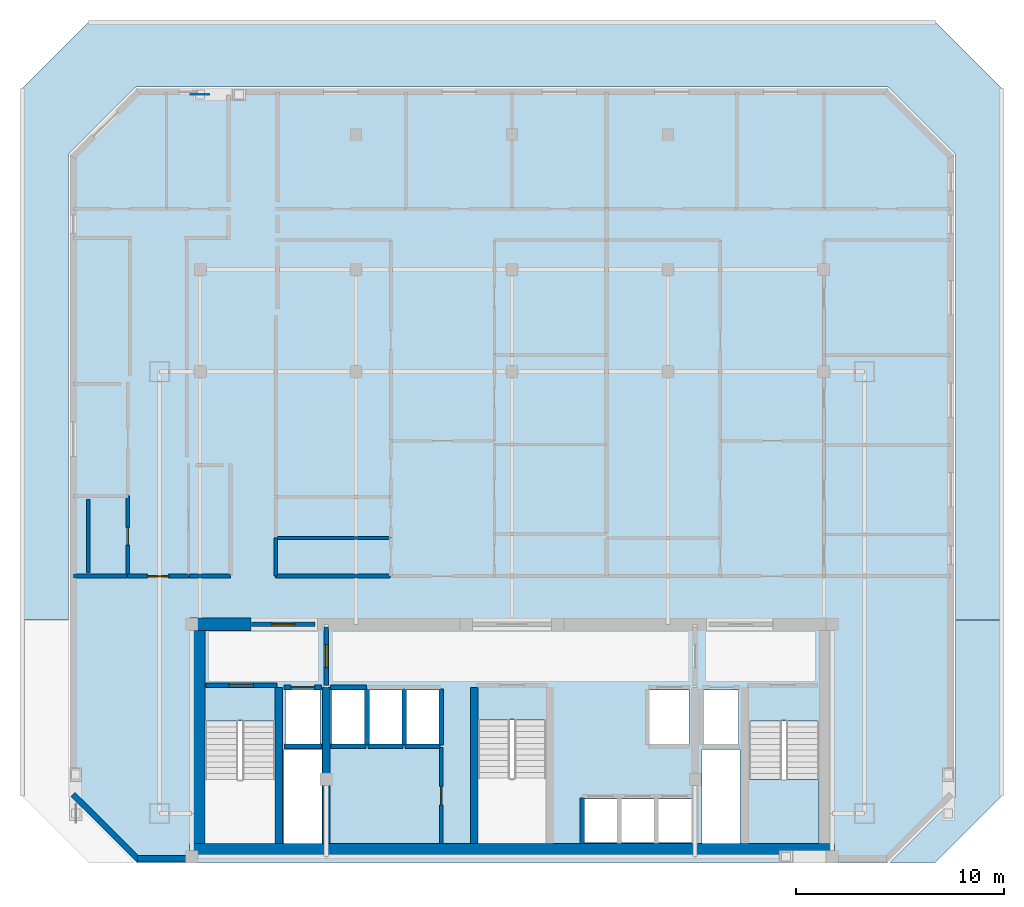
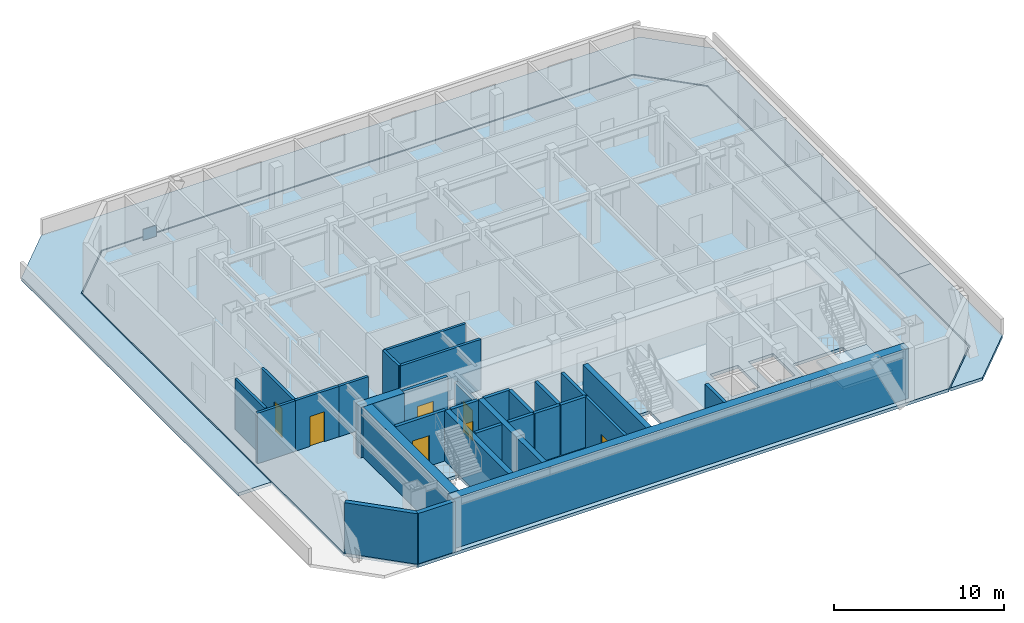
# One storey, part 2 of 7: 30 walls, 7 doors, 4 slabs, 1 plate, 7 openings, 1 element without a shape of its own.
"""IFC4 building model written with IfcOpenShell, lengths in metres."""

from ifc_helpers import new_model, si_unit, direction, frame, frame_2d, origin, origin_2d, place, context, subcontext, project, spatial, polyline, rectangle, outline, extrude, material, layer, layer_set, type_object, element, fill, aggregate, save


model = new_model("IFC4")

# Units and contexts
model_context = context("Model", 3, precision=1e-05, world=origin(), true_north=direction((0.0, 1.0)))
body_context = subcontext(model_context, "Body", "Model", "MODEL_VIEW")
ifc_project = project(units=[si_unit("LENGTHUNIT", "METRE"), si_unit("AREAUNIT", "SQUARE_METRE"), si_unit("VOLUMEUNIT", "CUBIC_METRE"), si_unit("PLANEANGLEUNIT", "RADIAN"), si_unit("MASSUNIT", "GRAM", prefix="KILO")], contexts=[model_context])

# Site, building, storey
site_placement = place(None, origin())
site = spatial("IfcSite", under=ifc_project, at=site_placement, CompositionType="ELEMENT")
building_placement = place(site_placement, origin())
building = spatial("IfcBuilding", under=site, at=building_placement, Name="Ventersveld Concourse Tower", CompositionType="ELEMENT")
storey_placement = place(building_placement, frame((0.0, 0.0, 219.550048828125)))
storey = spatial("IfcBuildingStorey", under=building, at=storey_placement, Name="L54", CompositionType="ELEMENT", Elevation=219.550048828125)

# Plate
ifc_material_1 = material(Name="Structural steel S355J2", Category="steel")
ifc_layer_1 = layer(ifc_material_1, 0.030029296875)
ifc_layer_set_1 = layer_set([ifc_layer_1], Name="Structural steel S355J2")
plate_type = type_object("IfcPlateType", Name="PL-CAP-30", PredefinedType="USERDEFINED", material=ifc_layer_set_1)
plate_placement = place(storey_placement, frame((13.75, 36.919921875, -0.10009765625), z_axis=(0.0, 0.0, 1.0), x_axis=(1.0, 0.0, 0.0)))
element("IfcPlate", 1, at=plate_placement, inside=storey, type_object=plate_type, Name="L54 Mega-Brace Gusset Node Plate M13-N", ObjectType="GUSSET_PLATE", PredefinedType="USERDEFINED", context=body_context, shape_type="SweptSolid", body=[
    extrude(rectangle(XDim=0.89990234375, YDim=0.030029296875, at=origin_2d()), origin(), (0.0, 0.0, 1.0), 0.89990234375),
])

# Slab
ifc_material_2 = material(Name="Concrete C50/60", Category="concrete")
ifc_layer_2 = layer(ifc_material_2, 0.219970703125)
ifc_layer_set_2 = layer_set([ifc_layer_2], Name="Concrete C50/60")
slab_type_1 = type_object("IfcSlabType", Name="SL-FLR-220", PredefinedType="FLOOR", material=ifc_layer_set_2)
slab_1_placement = place(storey_placement, frame((0.0, 0.0, -0.219970703125)))
element("IfcSlab", 2, at=slab_1_placement, inside=storey, type_object=slab_type_1, Name="L54 Composite Floor Slab", PredefinedType="FLOOR", context=body_context, shape_type="SweptSolid", body=[
    extrude(outline(polyline([(10.699951171875, 0.0), (46.800048828125, 0.0), (50.0, 3.199951171875), (50.0, 34.0), (46.800048828125, 37.199951171875), (10.699951171875, 37.199951171875), (7.5, 34.0), (7.5, 3.199951171875), (10.699951171875, 0.0)]), holes=[polyline([(13.97998046875, 6.794921875), (13.97998046875, 0.89990234375), (17.3798828125, 0.89990234375), (17.3798828125, 6.794921875), (13.97998046875, 6.794921875)]), polyline([(40.1201171875, 6.794921875), (40.1201171875, 0.89990234375), (43.52001953125, 0.89990234375), (43.52001953125, 6.794921875), (40.1201171875, 6.794921875)]), polyline([(27.10009765625, 6.844970703125), (27.10009765625, 0.89990234375), (30.39990234375, 0.89990234375), (30.39990234375, 6.844970703125), (27.10009765625, 6.844970703125)]), polyline([(17.85009765625, 5.699951171875), (19.530029296875, 5.699951171875), (19.530029296875, 8.300048828125), (17.85009765625, 8.300048828125), (17.85009765625, 5.699951171875)]), polyline([(37.969970703125, 5.699951171875), (39.64990234375, 5.699951171875), (39.64990234375, 8.300048828125), (37.969970703125, 8.300048828125), (37.969970703125, 5.699951171875)]), polyline([(35.35009765625, 5.699951171875), (37.25, 5.699951171875), (37.25, 8.300048828125), (35.35009765625, 8.300048828125), (35.35009765625, 5.699951171875)]), polyline([(32.2099609375, 0.949951171875), (33.81005859375, 0.949951171875), (33.81005859375, 3.050048828125), (32.2099609375, 3.050048828125), (32.2099609375, 0.949951171875)]), polyline([(33.989990234375, 0.949951171875), (35.590087890625, 0.949951171875), (35.590087890625, 3.050048828125), (33.989990234375, 3.050048828125), (33.989990234375, 0.949951171875)]), polyline([(35.77001953125, 0.949951171875), (37.3701171875, 0.949951171875), (37.3701171875, 3.050048828125), (35.77001953125, 3.050048828125), (35.77001953125, 0.949951171875)]), polyline([(20.090087890625, 5.699951171875), (21.68994140625, 5.699951171875), (21.68994140625, 8.300048828125), (20.090087890625, 8.300048828125), (20.090087890625, 5.699951171875)]), polyline([(21.8701171875, 5.699951171875), (23.469970703125, 5.699951171875), (23.469970703125, 8.300048828125), (21.8701171875, 8.300048828125), (21.8701171875, 5.699951171875)]), polyline([(23.64990234375, 5.699951171875), (25.25, 5.699951171875), (25.25, 8.300048828125), (23.64990234375, 8.300048828125), (23.64990234375, 5.699951171875)]), polyline([(17.780029296875, 0.919921875), (19.6201171875, 0.919921875), (19.6201171875, 5.419921875), (17.780029296875, 5.419921875), (17.780029296875, 0.919921875)]), polyline([(37.8798828125, 0.919921875), (39.719970703125, 0.919921875), (39.719970703125, 5.419921875), (37.8798828125, 5.419921875), (37.8798828125, 0.919921875)])]), origin(), (0.0, 0.0, 1.0), 0.219970703125),
])

# Stair, slab
stair_type = type_object("IfcStairType", Name="ST-DOG-160", PredefinedType="HALF_TURN_STAIR", material=ifc_material_2)
stair_placement = place(storey_placement, origin())
stair = element("IfcStair", 3, at=stair_placement, inside=storey, type_object=stair_type, Name="L54 Protected Tower Escape Stair ST-02", PredefinedType="HALF_TURN_STAIR")
ifc_layer_3 = layer(ifc_material_2, 0.199951171875)
ifc_layer_set_3 = layer_set([ifc_layer_3], Name="Concrete C50/60")
slab_type_2 = type_object("IfcSlabType", Name="SL-LND-200", PredefinedType="LANDING", material=ifc_layer_set_3)
slab_2_placement = place(storey_placement, frame((0.0, 0.0, 1.724853515625)))
slab_2 = element("IfcSlab", 4, at=slab_2_placement, type_object=slab_type_2, Name="ST-02 landing 1", PredefinedType="LANDING", context=body_context, shape_type="SweptSolid", body=[
    extrude(outline(polyline([(40.1201171875, 4.0), (40.1201171875, 0.89990234375), (43.52001953125, 0.89990234375), (43.52001953125, 4.0), (40.1201171875, 4.0)])), origin(), (0.0, 0.0, 1.0), 0.2001953125),
])
aggregate(stair, [slab_2])

# Slabs
ifc_layer_4 = layer(ifc_material_2, 0.219970703125)
ifc_layer_set_4 = layer_set([ifc_layer_4], Name="Concrete C50/60")
slab_type_3 = type_object("IfcSlabType", Name="SL-ROOF-220", PredefinedType="ROOF", material=ifc_layer_set_4)
slab_3_placement = place(storey_placement, frame((0.0, 0.0, -0.219970703125)))
element("IfcSlab", 5, at=slab_3_placement, inside=storey, type_object=slab_type_3, Name="L54 Maintenance Setback Roof Slab N1", PredefinedType="ROOF", context=body_context, shape_type="SweptSolid", body=[
    extrude(outline(polyline([(5.199951171875, 37.199951171875), (8.39990234375, 40.39990234375), (49.10009765625, 40.39990234375), (52.300048828125, 37.199951171875), (52.300048828125, 11.64990234375), (50.080078125, 11.64990234375), (50.080078125, 34.0), (50.07958984375, 34.0078125), (50.07861328125, 34.015625), (50.07666015625, 34.023193359375), (50.073974609375, 34.030517578125), (50.070556640625, 34.03759765625), (50.06640625, 34.04443359375), (50.061767578125, 34.05078125), (50.056640625, 34.056640625), (46.856689453125, 37.256591796875), (46.850830078125, 37.26171875), (46.844482421875, 37.2666015625), (46.837646484375, 37.2705078125), (46.83056640625, 37.27392578125), (46.8232421875, 37.276611328125), (46.815673828125, 37.278564453125), (46.807861328125, 37.279541015625), (46.800048828125, 37.280029296875), (10.699951171875, 37.280029296875), (10.692138671875, 37.279541015625), (10.684326171875, 37.278564453125), (10.6767578125, 37.276611328125), (10.66943359375, 37.27392578125), (10.662353515625, 37.2705078125), (10.655517578125, 37.2666015625), (10.649169921875, 37.26171875), (10.643310546875, 37.256591796875), (7.443359375, 34.056640625), (7.438232421875, 34.05078125), (7.43359375, 34.04443359375), (7.429443359375, 34.03759765625), (7.426025390625, 34.030517578125), (7.42333984375, 34.023193359375), (7.42138671875, 34.015625), (7.42041015625, 34.0078125), (7.419921875, 34.0), (7.419921875, 11.64990234375), (5.199951171875, 11.64990234375), (5.199951171875, 37.199951171875)])), origin(), (0.0, 0.0, 1.0), 0.219970703125),
])
slab_4_placement = place(storey_placement, frame((0.0, 0.0, -0.219970703125)))
element("IfcSlab", 6, at=slab_4_placement, inside=storey, type_object=slab_type_3, Name="L54 Maintenance Setback Roof Slab E3", PredefinedType="ROOF", context=body_context, shape_type="SweptSolid", body=[
    extrude(outline(polyline([(52.300048828125, 3.199951171875), (49.10009765625, 0.0), (46.9130859375, 0.0), (50.056640625, 3.143310546875), (50.061767578125, 3.149169921875), (50.06640625, 3.155517578125), (50.070556640625, 3.162353515625), (50.073974609375, 3.16943359375), (50.07666015625, 3.1767578125), (50.07861328125, 3.184326171875), (50.07958984375, 3.192138671875), (50.080078125, 3.199951171875), (50.080078125, 11.64990234375), (52.300048828125, 11.64990234375), (52.300048828125, 3.199951171875)])), origin(), (0.0, 0.0, 1.0), 0.219970703125),
])

# Walls
ifc_layer_5 = layer(ifc_material_2, 0.35009765625)
ifc_layer_set_5 = layer_set([ifc_layer_5], Name="Concrete C50/60")
wall_type_1 = type_object("IfcWallType", Name="WL-CORE-350U", PredefinedType="SHEAR", material=ifc_layer_set_5)
for number, where, z_axis, x_axis, name in (
    (7, (17.5400390625, 0.919921875, 0.0), (0.0, 0.0, 1.0), (0.0, 1.0, 0.0), "L54 Core Internal Shear Web W-ST1-E"),
    (8, (19.820068359375, 0.919921875, 0.0), (0.0, 0.0, 1.0), (0.0, 1.0, 0.0), "L54 Core Internal Shear Web W-FF1-E"),
    (9, (26.93994140625, 0.919921875, 0.0), (0.0, 0.0, 1.0), (0.0, 1.0, 0.0), "L54 Core Internal Shear Web W-ST3-W"),
):
    element("IfcWall", number, at=place(storey_placement, frame(where, z_axis=z_axis, x_axis=x_axis)), inside=storey, type_object=wall_type_1, Name=name, PredefinedType="SHEAR", context=body_context, shape_type="SweptSolid", body=[
        extrude(rectangle(XDim=7.5, YDim=0.35009765625, at=frame_2d((3.75, 0.0))), origin(), (0.0, 0.0, 1.0), 3.6298828125),
    ])
ifc_layer_6 = layer(ifc_material_2, 0.60009765625)
ifc_layer_set_6 = layer_set([ifc_layer_6], Name="Concrete C50/60")
wall_type_2 = type_object("IfcWallType", Name="WL-CORE-600", PredefinedType="SHEAR", material=ifc_layer_set_6)
wall_1_placement = place(storey_placement, frame((13.25, 0.6201171875, 0.0), z_axis=(0.0, 0.0, 1.0), x_axis=(1.0, 0.0, 0.0)))
element("IfcWall", 10, at=wall_1_placement, inside=storey, type_object=wall_type_2, Name="L54 Rear Core South Shear Wall", PredefinedType="SHEAR", context=body_context, shape_type="SweptSolid", body=[
    extrude(rectangle(XDim=31.0, YDim=0.60009765625, at=frame_2d((15.5, 0.0))), origin(), (0.0, 0.0, 1.0), 3.6298828125),
])
wall_2_placement = place(storey_placement, frame((13.699951171875, 0.919921875, 0.0), z_axis=(0.0, 0.0, 1.0), x_axis=(0.0, 1.0, 0.0)))
element("IfcWall", 11, at=wall_2_placement, inside=storey, type_object=wall_type_2, Name="L54 Rear Core West Shear Wall", PredefinedType="SHEAR", context=body_context, shape_type="SweptSolid", body=[
    extrude(rectangle(XDim=10.530029296875, YDim=0.60009765625, at=frame_2d((5.26513671875, 0.0))), origin(), (0.0, 0.0, 1.0), 3.6298828125),
])
wall_3_placement = place(storey_placement, frame((13.25, 11.449951171875, 0.0), z_axis=(0.0, 0.0, 1.0), x_axis=(1.0, 0.0, 0.0)))
element("IfcWall", 12, at=wall_3_placement, inside=storey, type_object=wall_type_2, Name="L54 Rear Core North Shear Wall NW", PredefinedType="SHEAR", context=body_context, shape_type="SweptSolid", body=[
    extrude(rectangle(XDim=2.949951171875, YDim=0.60009765625, at=frame_2d((1.47509765625, 0.0))), origin(), (0.0, 0.0, 1.0), 3.6298828125),
])

# Wall, opening, door
ifc_material_3 = material(Name="Fire-rated autoclaved aerated masonry blockwork", Category="masonry")
ifc_layer_7 = layer(ifc_material_3, 0.179931640625)
ifc_layer_set_7 = layer_set([ifc_layer_7], Name="Fire-rated autoclaved aerated masonry blockwork")
wall_type_3 = type_object("IfcWallType", Name="WL-CORR-180", PredefinedType="PARTITIONING", material=ifc_layer_set_7)
wall_4_placement = place(storey_placement, frame((25.35009765625, 0.89990234375, 0.0), z_axis=(0.0, 0.0, 1.0), x_axis=(0.0, 1.0, 0.0)))
wall_4 = element("IfcWall", 13, at=wall_4_placement, inside=storey, type_object=wall_type_3, Name="L54 Core Passage Wall SP-L54-RECB1A", PredefinedType="PARTITIONING", context=body_context, shape_type="SweptSolid", body=[
    extrude(rectangle(XDim=4.6201171875, YDim=0.179931640625, at=frame_2d((2.31005859375, 0.0))), origin(), (0.0, 0.0, 1.0), 3.6298828125),
])
opening_1_placement = place(wall_4_placement, frame((1.8701171875, 0.0, 0.0)))
opening_1 = element("IfcOpeningElement", 14, at=opening_1_placement, cuts=wall_4, Name="Opening FD5", PredefinedType="OPENING", context=body_context, shape_type="SweptSolid", body=[
    extrude(rectangle(XDim=0.8798828125, YDim=2.050048828125, at=frame_2d((0.43994140625, 1.02490234375))), frame((0.0, 0.10009765625, 0.0), z_axis=(0.0, -1.0, 0.0), x_axis=(1.0, 0.0, 0.0)), (0.0, 0.0, 1.0), 0.199951171875),
])
ifc_material_4 = material(Name="Galvanised painted steel", Category="steel")
door_type_1 = type_object("IfcDoorType", Name="DR-RISER-088", OperationType="NOTDEFINED", PredefinedType="DOOR", material=ifc_material_4)
door_1_placement = place(opening_1_placement, origin())
door_1 = element("IfcDoor", 15, at=door_1_placement, inside=storey, type_object=door_type_1, Name="L54 Core Room Door L54 Reclaimed Core Meeting Pod (CD-L54-2622)", OperationType="SINGLE_SWING_LEFT", OverallHeight=2.050048828125, OverallWidth=0.8798828125, PredefinedType="DOOR", context=body_context, shape_type="SweptSolid", body=[
    extrude(rectangle(XDim=0.8798828125, YDim=2.050048828125, at=frame_2d((0.43994140625, 1.02490234375))), frame((0.0, 0.02490234375, 0.0), z_axis=(0.0, -1.0, 0.0), x_axis=(1.0, 0.0, 0.0)), (0.0, 0.0, 1.0), 0.050048828125),
])
fill(opening_1, door_1)

wall_5_placement = place(storey_placement, frame((10.270751953125, 13.77001953125, 0.0), z_axis=(0.0, 0.0, 1.0), x_axis=(1.0, 0.0, 0.0)))
wall_5 = element("IfcWall", 16, at=wall_5_placement, inside=storey, type_object=wall_type_3, Name="L54 Interior Partition SP-L54-COR-SP-L54-54NW-LIV", PredefinedType="PARTITIONING", context=body_context, shape_type="SweptSolid", body=[
    extrude(rectangle(XDim=2.930419921875, YDim=0.179931640625, at=frame_2d((1.46533203125, 0.0))), origin(), (0.0, 0.0, 1.0), 3.6298828125),
])
opening_2_placement = place(wall_5_placement, frame((0.965087890625, 0.0, 0.0)))
opening_2 = element("IfcOpeningElement", 17, at=opening_2_placement, cuts=wall_5, Name="Opening FD3", PredefinedType="OPENING", context=body_context, shape_type="SweptSolid", body=[
    extrude(rectangle(XDim=1.0, YDim=2.14990234375, at=frame_2d((0.5, 1.074951171875))), frame((0.0, 0.10009765625, 0.0), z_axis=(0.0, -1.0, 0.0), x_axis=(1.0, 0.0, 0.0)), (0.0, 0.0, 1.0), 0.199951171875),
])
ifc_material_5 = material(Name="Solid-core hardwood veneer timber", Category="wood")
door_type_2 = type_object("IfcDoorType", Name="DR-FLAT-100", OperationType="NOTDEFINED", PredefinedType="DOOR", material=ifc_material_5)
door_2_placement = place(opening_2_placement, origin())
door_2 = element("IfcDoor", 18, at=door_2_placement, inside=storey, type_object=door_type_2, Name="L54 Interior Door SP-L54-COR to SP-L54-54NW-LIV (FD-L54-2623)", OperationType="SINGLE_SWING_LEFT", OverallHeight=2.14990234375, OverallWidth=1.0, PredefinedType="DOOR", context=body_context, shape_type="SweptSolid", body=[
    extrude(rectangle(XDim=1.0, YDim=2.14990234375, at=frame_2d((0.5, 1.074951171875))), frame((0.0, 0.02490234375, 0.0), z_axis=(0.0, -1.0, 0.0), x_axis=(1.0, 0.0, 0.0)), (0.0, 0.0, 1.0), 0.050048828125),
])
fill(opening_2, door_2)

# Walls
wall_6_placement = place(storey_placement, frame((7.672607421875, 13.77001953125, 0.0), z_axis=(0.0, 0.0, 1.0), x_axis=(1.0, 0.0, 0.0)))
element("IfcWall", 19, at=wall_6_placement, inside=storey, type_object=wall_type_3, Name="L54 Interior Partition SP-L54-COR-SP-L54-54NW-BATH", PredefinedType="PARTITIONING", context=body_context, shape_type="SweptSolid", body=[
    extrude(rectangle(XDim=2.568115234375, YDim=0.179931640625, at=frame_2d((1.2841796875, 0.0))), origin(), (0.0, 0.0, 1.0), 3.6298828125),
])
wall_7_placement = place(storey_placement, frame((13.231201171875, 13.77001953125, 0.0), z_axis=(0.0, 0.0, 1.0), x_axis=(1.0, 0.0, 0.0)))
element("IfcWall", 20, at=wall_7_placement, inside=storey, type_object=wall_type_3, Name="L54 Interior Partition SP-L54-COR-SP-L54-54NW-KIT", PredefinedType="PARTITIONING", context=body_context, shape_type="SweptSolid", body=[
    extrude(rectangle(XDim=1.98388671875, YDim=0.179931640625, at=frame_2d((0.991943359375, 0.0))), origin(), (0.0, 0.0, 1.0), 3.6298828125),
])
wall_8_placement = place(storey_placement, frame((17.385009765625, 13.77001953125, 0.0), z_axis=(0.0, 0.0, 1.0), x_axis=(1.0, 0.0, 0.0)))
element("IfcWall", 21, at=wall_8_placement, inside=storey, type_object=wall_type_3, Name="L54 Interior Partition SP-L54-COR-SP-L54-54N1-BATH", PredefinedType="PARTITIONING", context=body_context, shape_type="SweptSolid", body=[
    extrude(rectangle(XDim=5.50048828125, YDim=0.179931640625, at=frame_2d((2.750244140625, 0.0))), origin(), (0.0, 0.0, 1.0), 3.6298828125),
])
wall_9_placement = place(storey_placement, frame((17.389892578125, 13.764892578125, 0.0), z_axis=(0.0, 0.0, 1.0), x_axis=(0.0, 1.0, 0.0)))
element("IfcWall", 22, at=wall_9_placement, inside=storey, type_object=wall_type_3, Name="L54 Interior Partition SP-L54-COR-SP-L54-54N1-BATH", PredefinedType="PARTITIONING", context=body_context, shape_type="SweptSolid", body=[
    extrude(rectangle(XDim=1.840087890625, YDim=0.179931640625, at=frame_2d((0.919921875, 0.0))), origin(), (0.0, 0.0, 1.0), 3.6298828125),
])
ifc_layer_8 = layer(ifc_material_3, 0.219970703125)
ifc_layer_set_8 = layer_set([ifc_layer_8], Name="Fire-rated autoclaved aerated masonry blockwork")
wall_type_4 = type_object("IfcWallType", Name="WL-HOIST-220", PredefinedType="SOLIDWALL", material=ifc_layer_set_8)
wall_10_placement = place(storey_placement, frame((17.800048828125, 5.590087890625, 0.0), z_axis=(0.0, 0.0, 1.0), x_axis=(1.0, 0.0, 0.0)))
element("IfcWall", 23, at=wall_10_placement, inside=storey, type_object=wall_type_4, Name="L54 Lift Hoistway Back Wall FFL-01", PredefinedType="SOLIDWALL", context=body_context, shape_type="SweptSolid", body=[
    extrude(rectangle(XDim=1.780029296875, YDim=0.219970703125, at=frame_2d((0.89013671875, 0.0))), origin(), (0.0, 0.0, 1.0), 3.6298828125),
])

# Wall, opening, door
wall_11_placement = place(storey_placement, frame((17.780029296875, 8.429931640625, 0.0), z_axis=(0.0, 0.0, 1.0), x_axis=(1.0, 0.0, 0.0)))
wall_11 = element("IfcWall", 24, at=wall_11_placement, inside=storey, type_object=wall_type_4, Name="L54 Lift Hoistway Front Wall FFL-01", PredefinedType="SOLIDWALL", context=body_context, shape_type="SweptSolid", body=[
    extrude(rectangle(XDim=1.820068359375, YDim=0.219970703125, at=frame_2d((0.91015625, 0.0))), origin(), (0.0, 0.0, 1.0), 3.6298828125),
])
opening_3_placement = place(wall_11_placement, frame((0.35009765625, 0.0, 0.0)))
opening_3 = element("IfcOpeningElement", 25, at=opening_3_placement, cuts=wall_11, Name="Opening LD1", PredefinedType="OPENING", context=body_context, shape_type="SweptSolid", body=[
    extrude(rectangle(XDim=1.1201171875, YDim=2.25, at=frame_2d((0.56005859375, 1.125))), frame((0.0, 0.1201171875, 0.0), z_axis=(0.0, -1.0, 0.0), x_axis=(1.0, 0.0, 0.0)), (0.0, 0.0, 1.0), 0.239990234375),
])
ifc_material_6 = material(Name="Brushed stainless steel 316", Category="steel")
door_type_3 = type_object("IfcDoorType", Name="LD-FF-112", OperationType="SLIDING_TO_LEFT", PredefinedType="DOOR", material=ifc_material_6)
door_3_placement = place(opening_3_placement, origin())
door_3 = element("IfcDoor", 26, at=door_3_placement, inside=storey, type_object=door_type_3, Name="L54 Lift landing door FFL-01 (LD-L54-FFL-01)", OperationType="SLIDING_TO_LEFT", OverallHeight=2.25, OverallWidth=1.1201171875, PredefinedType="DOOR", context=body_context, shape_type="SweptSolid", body=[
    extrude(rectangle(XDim=1.1201171875, YDim=2.25, at=frame_2d((0.56005859375, 1.125))), frame((0.0, 0.02490234375, 0.0), z_axis=(0.0, -1.0, 0.0), x_axis=(1.0, 0.0, 0.0)), (0.0, 0.0, 1.0), 0.050048828125),
])
fill(opening_3, door_3)

# Walls
wall_12_placement = place(storey_placement, frame((32.1201171875, 0.89990234375, 0.0), z_axis=(0.0, 0.0, 1.0), x_axis=(0.0, 1.0, 0.0)))
element("IfcWall", 27, at=wall_12_placement, inside=storey, type_object=wall_type_4, Name="L54 Lift Hoistway Side Wall PM-01W", PredefinedType="SOLIDWALL", context=body_context, shape_type="SweptSolid", body=[
    extrude(rectangle(XDim=2.2001953125, YDim=0.219970703125, at=frame_2d((1.10009765625, 0.0))), origin(), (0.0, 0.0, 1.0), 3.6298828125),
])
wall_13_placement = place(storey_placement, frame((20.0400390625, 5.590087890625, 0.0), z_axis=(0.0, 0.0, 1.0), x_axis=(1.0, 0.0, 0.0)))
element("IfcWall", 28, at=wall_13_placement, inside=storey, type_object=wall_type_4, Name="L54 Lift Hoistway Back Wall PH-01", PredefinedType="SOLIDWALL", context=body_context, shape_type="SweptSolid", body=[
    extrude(rectangle(XDim=1.699951171875, YDim=0.219970703125, at=frame_2d((0.85009765625, 0.0))), origin(), (0.0, 0.0, 1.0), 3.6298828125),
])
wall_14_placement = place(storey_placement, frame((21.780029296875, 5.64990234375, 0.0), z_axis=(0.0, 0.0, 1.0), x_axis=(0.0, 1.0, 0.0)))
element("IfcWall", 29, at=wall_14_placement, inside=storey, type_object=wall_type_4, Name="L54 Lift Hoistway Side Wall PH-01E", PredefinedType="SOLIDWALL", context=body_context, shape_type="SweptSolid", body=[
    extrude(rectangle(XDim=2.7001953125, YDim=0.219970703125, at=frame_2d((1.35009765625, 0.0))), origin(), (0.0, 0.0, 1.0), 3.6298828125),
])
wall_15_placement = place(storey_placement, frame((20.02001953125, 8.429931640625, 0.0), z_axis=(0.0, 0.0, 1.0), x_axis=(1.0, 0.0, 0.0)))
element("IfcWall", 30, at=wall_15_placement, inside=storey, type_object=wall_type_4, Name="L54 Lift Hoistway Front Wall PH-01", PredefinedType="SOLIDWALL", context=body_context, shape_type="SweptSolid", body=[
    extrude(rectangle(XDim=1.739990234375, YDim=0.219970703125, at=frame_2d((0.8701171875, 0.0))), origin(), (0.0, 0.0, 1.0), 3.6298828125),
])
wall_16_placement = place(storey_placement, frame((21.820068359375, 5.590087890625, 0.0), z_axis=(0.0, 0.0, 1.0), x_axis=(1.0, 0.0, 0.0)))
element("IfcWall", 31, at=wall_16_placement, inside=storey, type_object=wall_type_4, Name="L54 Lift Hoistway Back Wall PH-02", PredefinedType="SOLIDWALL", context=body_context, shape_type="SweptSolid", body=[
    extrude(rectangle(XDim=1.699951171875, YDim=0.219970703125, at=frame_2d((0.85009765625, 0.0))), origin(), (0.0, 0.0, 1.0), 3.6298828125),
])
wall_17_placement = place(storey_placement, frame((23.56005859375, 5.64990234375, 0.0), z_axis=(0.0, 0.0, 1.0), x_axis=(0.0, 1.0, 0.0)))
element("IfcWall", 32, at=wall_17_placement, inside=storey, type_object=wall_type_4, Name="L54 Lift Hoistway Side Wall PH-02E", PredefinedType="SOLIDWALL", context=body_context, shape_type="SweptSolid", body=[
    extrude(rectangle(XDim=2.7001953125, YDim=0.219970703125, at=frame_2d((1.35009765625, 0.0))), origin(), (0.0, 0.0, 1.0), 3.6298828125),
])
wall_18_placement = place(storey_placement, frame((23.60009765625, 5.590087890625, 0.0), z_axis=(0.0, 0.0, 1.0), x_axis=(1.0, 0.0, 0.0)))
element("IfcWall", 33, at=wall_18_placement, inside=storey, type_object=wall_type_4, Name="L54 Lift Hoistway Back Wall PH-03", PredefinedType="SOLIDWALL", context=body_context, shape_type="SweptSolid", body=[
    extrude(rectangle(XDim=1.699951171875, YDim=0.219970703125, at=frame_2d((0.85009765625, 0.0))), origin(), (0.0, 0.0, 1.0), 3.6298828125),
])
wall_19_placement = place(storey_placement, frame((25.340087890625, 5.64990234375, 0.0), z_axis=(0.0, 0.0, 1.0), x_axis=(0.0, 1.0, 0.0)))
element("IfcWall", 34, at=wall_19_placement, inside=storey, type_object=wall_type_4, Name="L54 Lift Hoistway Side Wall PH-03E", PredefinedType="SOLIDWALL", context=body_context, shape_type="SweptSolid", body=[
    extrude(rectangle(XDim=2.7001953125, YDim=0.219970703125, at=frame_2d((1.35009765625, 0.0))), origin(), (0.0, 0.0, 1.0), 3.6298828125),
])

# Wall, opening, door
wall_20_placement = place(storey_placement, frame((14.0400390625, 8.52001953125, 0.0), z_axis=(0.0, 0.0, 1.0), x_axis=(1.0, 0.0, 0.0)))
wall_20 = element("IfcWall", 35, at=wall_20_placement, inside=storey, type_object=wall_type_4, Name="L54 Escape Stair ST01 Fire Wall", PredefinedType="SOLIDWALL", context=body_context, shape_type="SweptSolid", body=[
    extrude(rectangle(XDim=3.39990234375, YDim=0.219970703125, at=frame_2d((1.699951171875, 0.0))), origin(), (0.0, 0.0, 1.0), 3.6298828125),
])
opening_4_placement = place(wall_20_placement, frame((1.125, 0.0, 0.0)))
opening_4 = element("IfcOpeningElement", 36, at=opening_4_placement, cuts=wall_20, Name="Opening FD1", PredefinedType="OPENING", context=body_context, shape_type="SweptSolid", body=[
    extrude(rectangle(XDim=1.14990234375, YDim=2.199951171875, at=frame_2d((0.574951171875, 1.10009765625))), frame((0.0, 0.1201171875, 0.0), z_axis=(0.0, -1.0, 0.0), x_axis=(1.0, 0.0, 0.0)), (0.0, 0.0, 1.0), 0.239990234375),
])
door_type_4 = type_object("IfcDoorType", Name="DR-STAIR-115", OperationType="NOTDEFINED", PredefinedType="DOOR", material=ifc_material_4)
door_4_placement = place(opening_4_placement, origin())
door_4 = element("IfcDoor", 37, at=door_4_placement, inside=storey, type_object=door_type_4, Name="L54 Escape Stair Door ST01 (SD-L54-2614)", OperationType="SINGLE_SWING_LEFT", OverallHeight=2.199951171875, OverallWidth=1.14990234375, PredefinedType="DOOR", context=body_context, shape_type="SweptSolid", body=[
    extrude(rectangle(XDim=1.14990234375, YDim=2.199951171875, at=frame_2d((0.574951171875, 1.10009765625))), frame((0.0, 0.02490234375, 0.0), z_axis=(0.0, -1.0, 0.0), x_axis=(1.0, 0.0, 0.0)), (0.0, 0.0, 1.0), 0.050048828125),
])
fill(opening_4, door_4)

wall_21_placement = place(storey_placement, frame((19.820068359375, 8.52001953125, 0.0), z_axis=(0.0, 0.0, 1.0), x_axis=(0.0, 1.0, 0.0)))
wall_21 = element("IfcWall", 38, at=wall_21_placement, inside=storey, type_object=wall_type_4, Name="L54 Firefighting Lobby Smoke-Stop Wall FFLW-SEP", PredefinedType="SOLIDWALL", context=body_context, shape_type="SweptSolid", body=[
    extrude(rectangle(XDim=2.800048828125, YDim=0.219970703125, at=frame_2d((1.39990234375, 0.0))), origin(), (0.0, 0.0, 1.0), 3.08544921875),
])
opening_5_placement = place(wall_21_placement, frame((0.85009765625, 0.0, 0.0)))
opening_5 = element("IfcOpeningElement", 39, at=opening_5_placement, cuts=wall_21, Name="Opening FD2", PredefinedType="OPENING", context=body_context, shape_type="SweptSolid", body=[
    extrude(rectangle(XDim=1.10009765625, YDim=2.199951171875, at=frame_2d((0.550048828125, 1.10009765625))), frame((0.0, 0.1201171875, 0.0), z_axis=(0.0, -1.0, 0.0), x_axis=(1.0, 0.0, 0.0)), (0.0, 0.0, 1.0), 0.239990234375),
])
door_type_5 = type_object("IfcDoorType", Name="DR-FFL-110", OperationType="NOTDEFINED", PredefinedType="DOOR", material=ifc_material_4)
door_5_placement = place(opening_5_placement, origin())
door_5 = element("IfcDoor", 40, at=door_5_placement, inside=storey, type_object=door_type_5, Name="L54 Firefighting Lobby Door FFLW-SEP (FD-L54-2617)", OperationType="SINGLE_SWING_LEFT", OverallHeight=2.199951171875, OverallWidth=1.10009765625, PredefinedType="DOOR", context=body_context, shape_type="SweptSolid", body=[
    extrude(rectangle(XDim=1.10009765625, YDim=2.199951171875, at=frame_2d((0.550048828125, 1.10009765625))), frame((0.0, 0.02490234375, 0.0), z_axis=(0.0, -1.0, 0.0), x_axis=(1.0, 0.0, 0.0)), (0.0, 0.0, 1.0), 0.050048828125),
])
fill(opening_5, door_5)

wall_22_placement = place(storey_placement, frame((16.22998046875, 11.449951171875, 0.0), z_axis=(0.0, 0.0, 1.0), x_axis=(1.0, 0.0, 0.0)))
wall_22 = element("IfcWall", 41, at=wall_22_placement, inside=storey, type_object=wall_type_4, Name="L54 Core North Fire Portal FFLW-OUT", PredefinedType="SOLIDWALL", context=body_context, shape_type="SweptSolid", body=[
    extrude(rectangle(XDim=3.0400390625, YDim=0.219970703125, at=frame_2d((1.52001953125, 0.0))), origin(), (0.0, 0.0, 1.0), 3.6298828125),
])
opening_6_placement = place(wall_22_placement, frame((0.969970703125, 0.0, 0.0)))
opening_6 = element("IfcOpeningElement", 42, at=opening_6_placement, cuts=wall_22, Name="Opening FD2", PredefinedType="OPENING", context=body_context, shape_type="SweptSolid", body=[
    extrude(rectangle(XDim=1.10009765625, YDim=2.199951171875, at=frame_2d((0.550048828125, 1.10009765625))), frame((0.0, 0.1201171875, 0.0), z_axis=(0.0, -1.0, 0.0), x_axis=(1.0, 0.0, 0.0)), (0.0, 0.0, 1.0), 0.239990234375),
])
door_6_placement = place(opening_6_placement, origin())
door_6 = element("IfcDoor", 43, at=door_6_placement, inside=storey, type_object=door_type_5, Name="L54 Core Lobby Fire Door FFLW-OUT (FD-L54-2619)", OperationType="SINGLE_SWING_RIGHT", OverallHeight=2.199951171875, OverallWidth=1.10009765625, PredefinedType="DOOR", context=body_context, shape_type="SweptSolid", body=[
    extrude(rectangle(XDim=1.10009765625, YDim=2.199951171875, at=frame_2d((0.550048828125, 1.10009765625))), frame((0.0, 0.02490234375, 0.0), z_axis=(0.0, -1.0, 0.0), x_axis=(1.0, 0.0, 0.0)), (0.0, 0.0, 1.0), 0.050048828125),
])
fill(opening_6, door_6)

# Walls
ifc_material_7 = material(Name="Precast concrete C45/55", Category="concrete")
ifc_layer_9 = layer(ifc_material_7, 0.300048828125)
ifc_layer_set_9 = layer_set([ifc_layer_9], Name="Precast concrete C45/55")
wall_type_5 = type_object("IfcWallType", Name="WL-PREC-300", PredefinedType="SOLIDWALL", material=ifc_layer_set_9)
wall_23_placement = place(storey_placement, frame((10.739990234375, 0.179931640625, 0.0), z_axis=(0.0, 0.0, 1.0), x_axis=(1.0, 0.0, 0.0)))
element("IfcWall", 44, at=wall_23_placement, inside=storey, type_object=wall_type_5, Name="L54 South-West Flank Precast Wall", PredefinedType="SOLIDWALL", context=body_context, shape_type="SweptSolid", body=[
    extrude(rectangle(XDim=2.510009765625, YDim=0.300048828125, at=frame_2d((1.2548828125, 0.0))), origin(), (0.0, 0.0, 1.0), 3.6298828125),
])
wall_24_placement = place(storey_placement, frame((7.634521484375, 3.27783203125, 0.0), z_axis=(0.0, 0.0, 1.0), x_axis=(0.707106781187, -0.707106781187, 0.0)))
element("IfcWall", 45, at=wall_24_placement, inside=storey, type_object=wall_type_5, Name="L54 Highveld Precast Facade Wall E08", PredefinedType="SOLIDWALL", context=body_context, shape_type="SweptSolid", body=[
    extrude(rectangle(XDim=4.4453125, YDim=0.300048828125, at=frame_2d((2.22265625, 0.0))), origin(), (0.0, 0.0, 1.0), 3.6298828125),
])

# Wall, opening, door
ifc_material_8 = material(Name="Autoclaved aerated masonry blockwork", Category="masonry")
ifc_layer_10 = layer(ifc_material_8, 0.1650390625)
ifc_layer_set_10 = layer_set([ifc_layer_10], Name="Autoclaved aerated masonry blockwork")
wall_type_6 = type_object("IfcWallType", Name="WL-WET-165", PredefinedType="PLUMBINGWALL", material=ifc_layer_set_10)
wall_25_placement = place(storey_placement, frame((10.27587890625, 13.764892578125, 0.0), z_axis=(0.0, 0.0, 1.0), x_axis=(0.0, 1.0, 0.0)))
wall_25 = element("IfcWall", 46, at=wall_25_placement, inside=storey, type_object=wall_type_6, Name="L54 Interior Partition SP-L54-54NW-LIV-SP-L54-54NW-BATH", PredefinedType="PLUMBINGWALL", context=body_context, shape_type="SweptSolid", body=[
    extrude(rectangle(XDim=3.844970703125, YDim=0.1650390625, at=frame_2d((1.92236328125, 0.0))), origin(), (0.0, 0.0, 1.0), 3.6298828125),
])
opening_7_placement = place(wall_25_placement, frame((1.497314453125, 0.0, 0.0)))
opening_7 = element("IfcOpeningElement", 47, at=opening_7_placement, cuts=wall_25, Name="Opening ID2", PredefinedType="OPENING", context=body_context, shape_type="SweptSolid", body=[
    extrude(rectangle(XDim=0.85009765625, YDim=2.10009765625, at=frame_2d((0.425048828125, 1.050048828125))), frame((0.0, 0.092529296875, 0.0), z_axis=(0.0, -1.0, 0.0), x_axis=(1.0, 0.0, 0.0)), (0.0, 0.0, 1.0), 0.18505859375),
])
door_type_6 = type_object("IfcDoorType", Name="DR-BATH-085", OperationType="NOTDEFINED", PredefinedType="DOOR", material=ifc_material_5)
door_7_placement = place(opening_7_placement, origin())
door_7 = element("IfcDoor", 48, at=door_7_placement, inside=storey, type_object=door_type_6, Name="L54 Interior Door SP-L54-54NW-LIV to SP-L54-54NW-BATH (D-L54-2626)", OperationType="SINGLE_SWING_RIGHT", OverallHeight=2.10009765625, OverallWidth=0.85009765625, PredefinedType="DOOR", context=body_context, shape_type="SweptSolid", body=[
    extrude(rectangle(XDim=0.85009765625, YDim=2.10009765625, at=frame_2d((0.425048828125, 1.050048828125))), frame((0.0, 0.02490234375, 0.0), z_axis=(0.0, -1.0, 0.0), x_axis=(1.0, 0.0, 0.0)), (0.0, 0.0, 1.0), 0.050048828125),
])
fill(opening_7, door_7)

# Walls
wall_26_placement = place(storey_placement, frame((17.385009765625, 15.60009765625, 0.0), z_axis=(0.0, 0.0, 1.0), x_axis=(1.0, 0.0, 0.0)))
element("IfcWall", 49, at=wall_26_placement, inside=storey, type_object=wall_type_6, Name="L54 Interior Partition SP-L54-54N1-BATH-SP-L54-54N1-PANL0", PredefinedType="PLUMBINGWALL", context=body_context, shape_type="SweptSolid", body=[
    extrude(rectangle(XDim=5.540283203125, YDim=0.1650390625, at=frame_2d((2.77001953125, 0.0))), origin(), (0.0, 0.0, 1.0), 3.6298828125),
])
wall_27_placement = place(storey_placement, frame((8.3798828125, 13.93505859375, 0.0), z_axis=(0.0, 0.0, 1.0), x_axis=(0.0, 1.0, 0.0)))
element("IfcWall", 50, at=wall_27_placement, inside=storey, type_object=wall_type_6, Name="L54 Room Enclosure Wall SP-L54-54NW-BATH", PredefinedType="PLUMBINGWALL", context=body_context, shape_type="SweptSolid", body=[
    extrude(rectangle(XDim=3.5048828125, YDim=0.1650390625, at=frame_2d((1.75244140625, 0.0))), origin(), (0.0, 0.0, 1.0), 3.6298828125),
])

save(model, "model.ifc")
